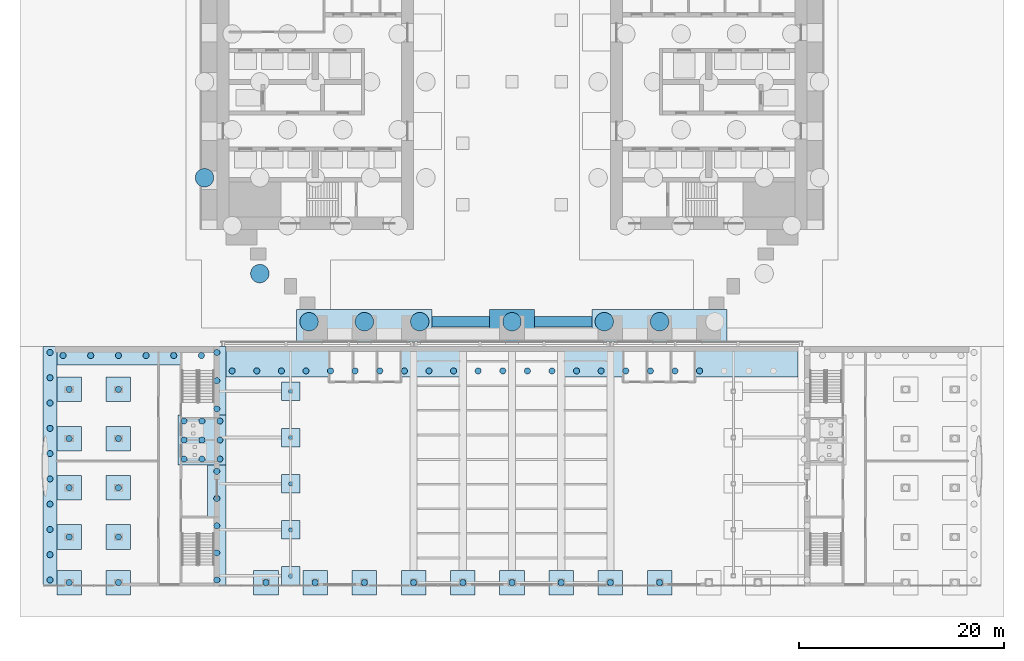
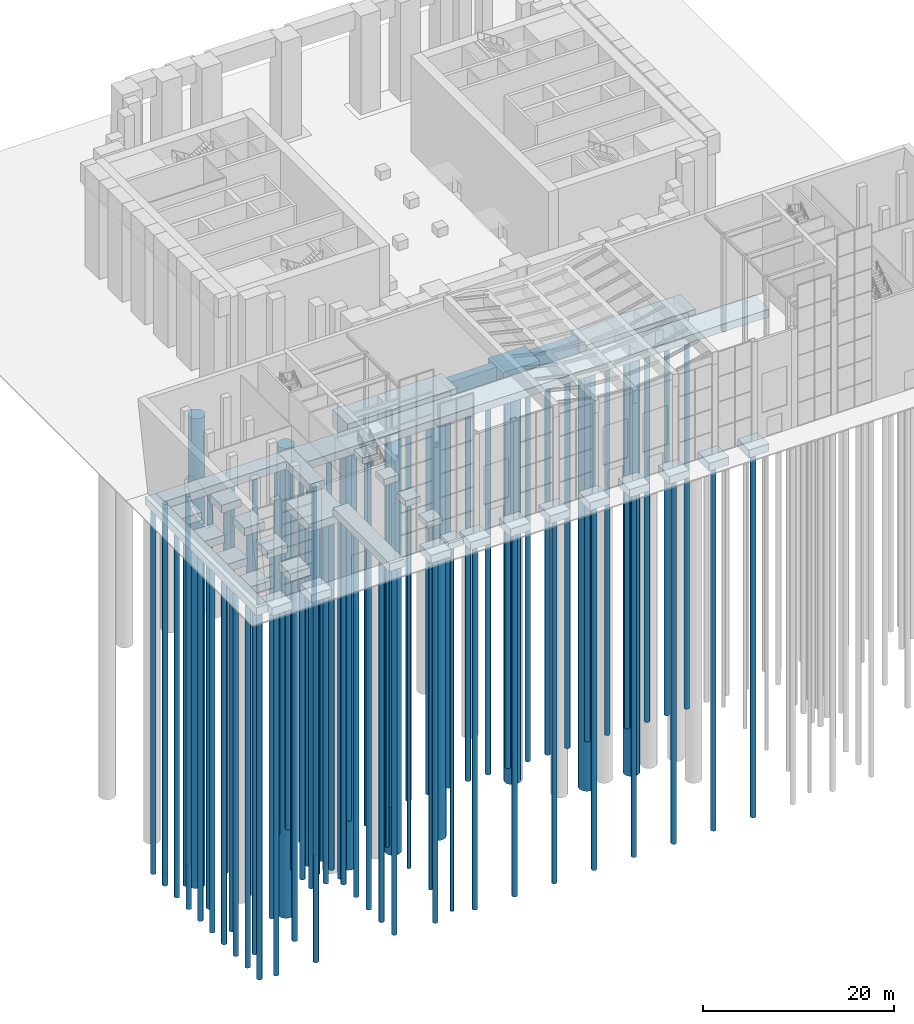
# One storey, part 1 of 58: 85 piles, 35 footings.
"""IFC4 building model written with IfcOpenShell, lengths in metres."""

from ifc_helpers import new_model, si_unit, direction, frame, origin, origin_2d, place, context, subcontext, project, spatial, polyline, circle, outline, extrude, material, material_profile, profile_set, type_object, element, save


model = new_model("IFC4")

# Units and contexts
model_context = context("Model", 3, precision=1e-05, world=origin(), true_north=direction((0.0, 1.0)))
body_context = subcontext(model_context, "Body", "Model", "MODEL_VIEW")
ifc_project = project(units=[si_unit("LENGTHUNIT", "METRE"), si_unit("AREAUNIT", "SQUARE_METRE"), si_unit("VOLUMEUNIT", "CUBIC_METRE"), si_unit("PLANEANGLEUNIT", "RADIAN"), si_unit("MASSUNIT", "GRAM", prefix="KILO")], contexts=[model_context])

# Site, building, storey
site_placement = place(None, origin())
site = spatial("IfcSite", under=ifc_project, at=site_placement, CompositionType="ELEMENT")
building_placement = place(site_placement, origin())
building = spatial("IfcBuilding", under=site, at=building_placement, Name="Baori Bourse Tower", CompositionType="ELEMENT")
storey_placement = place(building_placement, origin())
storey = spatial("IfcBuildingStorey", under=building, at=storey_placement, Name="L00", CompositionType="ELEMENT", Elevation=0.0)

# Piles
ifc_material_1 = material(Name="Concrete f'c 40 MPa", Category="concrete")
ifc_material_profile_1 = material_profile(ifc_material_1, circle(Radius=0.89990234375, at=origin_2d()), Name="RC D1800")
ifc_profile_set_1 = profile_set([ifc_material_profile_1], Name="Concrete f'c 40 MPa")
pile_type_1 = type_object("IfcPileType", Name="Bored pile RC D1800", PredefinedType="BORED", material=ifc_profile_set_1)
for number, where, z_axis, x_axis, name in (
    (1, (4.199951171875, 5.2939453125, -5.199951171875), (0.0, 0.0, -1.0), (1.0, 0.0, 0.0), "Bored pile RF2-01"),
    (2, (-1.199951171875, 14.64697265625, -5.199951171875), (0.0, 0.0, -1.0), (1.0, 0.0, 0.0), "Bored pile RF2-06"),
):
    element("IfcPile", number, at=place(storey_placement, frame(where, z_axis=z_axis, x_axis=x_axis)), inside=storey, type_object=pile_type_1, Name=name, PredefinedType="BORED", context=body_context, shape_type="SweptSolid", body=[
        extrude(circle(Radius=0.89990234375, at=origin_2d()), origin(), (0.0, 0.0, 1.0), 60.0),
    ])
for number, where, z_axis, x_axis, name in (
    (3, (9.0, 0.60009765625, -1.89990234375), (0.0, 0.0, -1.0), (1.0, 0.0, 0.0), "Bored pile PC1-01"),
    (4, (14.39990234375, 0.60009765625, -1.89990234375), (0.0, 0.0, -1.0), (1.0, 0.0, 0.0), "Bored pile PC1-02"),
    (5, (19.800048828125, 0.60009765625, -1.89990234375), (0.0, 0.0, -1.0), (1.0, 0.0, 0.0), "Bored pile PC1-03"),
):
    element("IfcPile", number, at=place(storey_placement, frame(where, z_axis=z_axis, x_axis=x_axis)), inside=storey, type_object=pile_type_1, Name=name, PredefinedType="BORED", context=body_context, shape_type="SweptSolid", body=[
        extrude(circle(Radius=0.89990234375, at=origin_2d()), origin(), (0.0, 0.0, 1.0), 56.0),
    ])
pile_placement = place(storey_placement, frame((28.800048828125, 0.60009765625, -1.89990234375), z_axis=(0.0, 0.0, -1.0), x_axis=(1.0, 0.0, 0.0)))
element("IfcPile", 6, at=pile_placement, inside=storey, type_object=pile_type_1, Name="Bored pile PC2-01", PredefinedType="BORED", context=body_context, shape_type="SweptSolid", body=[
    extrude(circle(Radius=0.89990234375, at=origin_2d()), origin(), (0.0, 0.0, 1.0), 52.0),
])
for number, where, z_axis, x_axis, name in (
    (7, (37.800048828125, 0.60009765625, -1.89990234375), (0.0, 0.0, -1.0), (1.0, 0.0, 0.0), "Bored pile PC3-01"),
    (8, (43.199951171875, 0.60009765625, -1.89990234375), (0.0, 0.0, -1.0), (1.0, 0.0, 0.0), "Bored pile PC3-02"),
):
    element("IfcPile", number, at=place(storey_placement, frame(where, z_axis=z_axis, x_axis=x_axis)), inside=storey, type_object=pile_type_1, Name=name, PredefinedType="BORED", context=body_context, shape_type="SweptSolid", body=[
        extrude(circle(Radius=0.89990234375, at=origin_2d()), origin(), (0.0, 0.0, 1.0), 56.0),
    ])
ifc_material_2 = material(Name="Concrete f'c 40 MPa", Category="concrete")
ifc_material_profile_2 = material_profile(ifc_material_2, circle(Radius=0.199951171875, at=origin_2d()), Name="Gallery bored pile 400")
ifc_profile_set_2 = profile_set([ifc_material_profile_2], Name="Concrete f'c 40 MPa")
pile_type_2 = type_object("IfcPileType", Name="Gallery bored pile 400", PredefinedType="BORED", material=ifc_profile_set_2)
for number, where, z_axis, x_axis, name in (
    (9, (7.199951171875, -24.199951171875, -1.0), (0.0, 0.0, -1.0), (1.0, 0.0, 0.0), "wing/L00/pile/032"),
    (10, (7.199951171875, -19.699951171875, -1.0), (0.0, 0.0, -1.0), (1.0, 0.0, 0.0), "wing/L00/pile/033"),
    (11, (7.199951171875, -15.199951171875, -1.0), (0.0, 0.0, -1.0), (1.0, 0.0, 0.0), "wing/L00/pile/034"),
    (12, (7.199951171875, -10.699951171875, -1.0), (0.0, 0.0, -1.0), (1.0, 0.0, 0.0), "wing/L00/pile/035"),
    (13, (7.199951171875, -6.199951171875, -1.0), (0.0, 0.0, -1.0), (1.0, 0.0, 0.0), "wing/L00/pile/036"),
):
    element("IfcPile", number, at=place(storey_placement, frame(where, z_axis=z_axis, x_axis=x_axis)), inside=storey, type_object=pile_type_2, Name=name, PredefinedType="BORED", context=body_context, shape_type="SweptSolid", body=[
        extrude(circle(Radius=0.199951171875, at=origin_2d()), origin(), (0.0, 0.0, 1.0), 47.0),
    ])

# Footings
ifc_material_3 = material(Name="Concrete f'c 40 MPa", Category="concrete")
footing_type_1 = type_object("IfcFootingType", Name="Gallery pile cap 1800", PredefinedType="PILE_CAP", material=ifc_material_3)
footing_1_placement = place(storey_placement, frame((0.0, 0.0, -1.10009765625)))
element("IfcFooting", 14, at=footing_1_placement, inside=storey, type_object=footing_type_1, Name="wing/L00/gcap/001", PredefinedType="PILE_CAP", context=body_context, shape_type="SweptSolid", body=[
    extrude(outline(polyline([(6.300048828125, -25.10009765625), (8.10009765625, -25.10009765625), (8.10009765625, -23.300048828125), (6.300048828125, -23.300048828125), (6.300048828125, -25.10009765625)])), origin(), (0.0, 0.0, 1.0), 0.800048828125),
])
footing_2_placement = place(storey_placement, frame((0.0, 0.0, -1.10009765625)))
element("IfcFooting", 15, at=footing_2_placement, inside=storey, type_object=footing_type_1, Name="wing/L00/gcap/002", PredefinedType="PILE_CAP", context=body_context, shape_type="SweptSolid", body=[
    extrude(outline(polyline([(6.300048828125, -20.60009765625), (8.10009765625, -20.60009765625), (8.10009765625, -18.800048828125), (6.300048828125, -18.800048828125), (6.300048828125, -20.60009765625)])), origin(), (0.0, 0.0, 1.0), 0.800048828125),
])
footing_3_placement = place(storey_placement, frame((0.0, 0.0, -1.10009765625)))
element("IfcFooting", 16, at=footing_3_placement, inside=storey, type_object=footing_type_1, Name="wing/L00/gcap/003", PredefinedType="PILE_CAP", context=body_context, shape_type="SweptSolid", body=[
    extrude(outline(polyline([(6.300048828125, -16.10009765625), (8.10009765625, -16.10009765625), (8.10009765625, -14.300048828125), (6.300048828125, -14.300048828125), (6.300048828125, -16.10009765625)])), origin(), (0.0, 0.0, 1.0), 0.800048828125),
])
footing_4_placement = place(storey_placement, frame((0.0, 0.0, -1.10009765625)))
element("IfcFooting", 17, at=footing_4_placement, inside=storey, type_object=footing_type_1, Name="wing/L00/gcap/004", PredefinedType="PILE_CAP", context=body_context, shape_type="SweptSolid", body=[
    extrude(outline(polyline([(6.300048828125, -11.60009765625), (8.10009765625, -11.60009765625), (8.10009765625, -9.800048828125), (6.300048828125, -9.800048828125), (6.300048828125, -11.60009765625)])), origin(), (0.0, 0.0, 1.0), 0.800048828125),
])
footing_5_placement = place(storey_placement, frame((0.0, 0.0, -1.10009765625)))
element("IfcFooting", 18, at=footing_5_placement, inside=storey, type_object=footing_type_1, Name="wing/L00/gcap/005", PredefinedType="PILE_CAP", context=body_context, shape_type="SweptSolid", body=[
    extrude(outline(polyline([(6.300048828125, -7.10009765625), (8.10009765625, -7.10009765625), (8.10009765625, -5.300048828125), (6.300048828125, -5.300048828125), (6.300048828125, -7.10009765625)])), origin(), (0.0, 0.0, 1.0), 0.800048828125),
])
ifc_material_4 = material(Name="Concrete f'c 40 MPa", Category="concrete")
footing_type_2 = type_object("IfcFootingType", Name="Pile cap 4.4 x 3.15 x 2.2", PredefinedType="PILE_CAP", material=ifc_material_4)
footing_6_placement = place(storey_placement, frame((0.0, 0.0, -2.199951171875)))
element("IfcFooting", 19, at=footing_6_placement, inside=storey, type_object=footing_type_2, Name="Pile cap south centre", PredefinedType="PILE_CAP", context=body_context, shape_type="SweptSolid", body=[
    extrude(outline(polyline([(31.0, -1.35009765625), (31.0, 1.800048828125), (26.60009765625, 1.800048828125), (26.60009765625, -1.35009765625), (31.0, -1.35009765625)])), origin(), (0.0, 0.0, 1.0), 2.199951171875),
])
ifc_material_5 = material(Name="Concrete f'c 40 MPa", Category="concrete")
footing_type_3 = type_object("IfcFootingType", Name="Pile cap strip 13.2 x 3.15 x 2.2", PredefinedType="PILE_CAP", material=ifc_material_5)
footing_7_placement = place(storey_placement, frame((0.0, 0.0, -2.199951171875)))
element("IfcFooting", 20, at=footing_7_placement, inside=storey, type_object=footing_type_3, Name="Pile cap strip south west", PredefinedType="PILE_CAP", context=body_context, shape_type="SweptSolid", body=[
    extrude(outline(polyline([(21.0, -1.35009765625), (21.0, 1.800048828125), (7.800048828125, 1.800048828125), (7.800048828125, -1.35009765625), (21.0, -1.35009765625)])), origin(), (0.0, 0.0, 1.0), 2.199951171875),
])
footing_8_placement = place(storey_placement, frame((0.0, 0.0, -2.199951171875)))
element("IfcFooting", 21, at=footing_8_placement, inside=storey, type_object=footing_type_3, Name="Pile cap strip south east", PredefinedType="PILE_CAP", context=body_context, shape_type="SweptSolid", body=[
    extrude(outline(polyline([(49.800048828125, -1.35009765625), (49.800048828125, 1.800048828125), (36.60009765625, 1.800048828125), (36.60009765625, -1.35009765625), (49.800048828125, -1.35009765625)])), origin(), (0.0, 0.0, 1.0), 2.199951171875),
])
ifc_material_6 = material(Name="Concrete f'c 40 MPa", Category="concrete")
footing_type_4 = type_object("IfcFootingType", Name="Tie beam 1 x 1.85", PredefinedType="FOOTING_BEAM", material=ifc_material_6)
footing_9_placement = place(storey_placement, frame((0.0, 0.0, -2.0)))
element("IfcFooting", 22, at=footing_9_placement, inside=storey, type_object=footing_type_4, Name="Tie beam FB1", PredefinedType="FOOTING_BEAM", context=body_context, shape_type="SweptSolid", body=[
    extrude(outline(polyline([(26.60009765625, 0.10009765625), (26.60009765625, 1.10009765625), (21.0, 1.10009765625), (21.0, 0.10009765625), (26.60009765625, 0.10009765625)])), origin(), (0.0, 0.0, 1.0), 1.85009765625),
])
footing_10_placement = place(storey_placement, frame((0.0, 0.0, -2.0)))
element("IfcFooting", 23, at=footing_10_placement, inside=storey, type_object=footing_type_4, Name="Tie beam FB2", PredefinedType="FOOTING_BEAM", context=body_context, shape_type="SweptSolid", body=[
    extrude(outline(polyline([(36.60009765625, 0.10009765625), (36.60009765625, 1.10009765625), (31.0, 1.10009765625), (31.0, 0.10009765625), (36.60009765625, 0.10009765625)])), origin(), (0.0, 0.0, 1.0), 1.85009765625),
])

# Piles
ifc_material_7 = material(Name="Concrete f'c 40 MPa", Category="concrete")
ifc_material_profile_3 = material_profile(ifc_material_7, circle(Radius=0.300048828125, at=origin_2d()), Name="Wing bored pile 600")
ifc_profile_set_3 = profile_set([ifc_material_profile_3], Name="Concrete f'c 40 MPa")
pile_type_3 = type_object("IfcPileType", Name="Wing bored pile 600", PredefinedType="BORED", material=ifc_profile_set_3)
for number, where, z_axis, x_axis, name in (
    (24, (-14.39990234375, -24.85009765625, -1.199951171875), (0.0, 0.0, -1.0), (1.0, 0.0, 0.0), "wing/L00/pile/001"),
    (25, (-14.39990234375, -20.39990234375, -1.199951171875), (0.0, 0.0, -1.0), (1.0, 0.0, 0.0), "wing/L00/pile/002"),
    (26, (-14.39990234375, -15.60009765625, -1.199951171875), (0.0, 0.0, -1.0), (1.0, 0.0, 0.0), "wing/L00/pile/003"),
    (27, (-14.39990234375, -10.800048828125, -1.199951171875), (0.0, 0.0, -1.0), (1.0, 0.0, 0.0), "wing/L00/pile/004"),
    (28, (-14.39990234375, -6.0, -1.199951171875), (0.0, 0.0, -1.0), (1.0, 0.0, 0.0), "wing/L00/pile/005"),
    (29, (-9.60009765625, -24.85009765625, -1.199951171875), (0.0, 0.0, -1.0), (1.0, 0.0, 0.0), "wing/L00/pile/006"),
    (30, (-9.60009765625, -20.39990234375, -1.199951171875), (0.0, 0.0, -1.0), (1.0, 0.0, 0.0), "wing/L00/pile/007"),
    (31, (-9.60009765625, -15.60009765625, -1.199951171875), (0.0, 0.0, -1.0), (1.0, 0.0, 0.0), "wing/L00/pile/008"),
    (32, (-9.60009765625, -10.800048828125, -1.199951171875), (0.0, 0.0, -1.0), (1.0, 0.0, 0.0), "wing/L00/pile/009"),
    (33, (-9.60009765625, -6.0, -1.199951171875), (0.0, 0.0, -1.0), (1.0, 0.0, 0.0), "wing/L00/pile/010"),
    (34, (4.800048828125, -24.85009765625, -1.199951171875), (0.0, 0.0, -1.0), (1.0, 0.0, 0.0), "wing/L00/pile/021"),
    (35, (9.60009765625, -24.85009765625, -1.199951171875), (0.0, 0.0, -1.0), (1.0, 0.0, 0.0), "wing/L00/pile/022"),
    (36, (14.39990234375, -24.85009765625, -1.199951171875), (0.0, 0.0, -1.0), (1.0, 0.0, 0.0), "wing/L00/pile/023"),
    (37, (19.199951171875, -24.85009765625, -1.199951171875), (0.0, 0.0, -1.0), (1.0, 0.0, 0.0), "wing/L00/pile/024"),
    (38, (24.0, -24.85009765625, -1.199951171875), (0.0, 0.0, -1.0), (1.0, 0.0, 0.0), "wing/L00/pile/025"),
    (39, (28.800048828125, -24.85009765625, -1.199951171875), (0.0, 0.0, -1.0), (1.0, 0.0, 0.0), "wing/L00/pile/026"),
    (40, (33.60009765625, -24.85009765625, -1.199951171875), (0.0, 0.0, -1.0), (1.0, 0.0, 0.0), "wing/L00/pile/027"),
    (41, (38.39990234375, -24.85009765625, -1.199951171875), (0.0, 0.0, -1.0), (1.0, 0.0, 0.0), "wing/L00/pile/028"),
    (42, (43.199951171875, -24.85009765625, -1.199951171875), (0.0, 0.0, -1.0), (1.0, 0.0, 0.0), "wing/L00/pile/029"),
    (43, (-16.27490234375, -24.60009765625, -1.199951171875), (0.0, 0.0, -1.0), (1.0, 0.0, 0.0), "wing/L00/pile/042"),
    (44, (-16.27490234375, -22.13330078125, -1.199951171875), (0.0, 0.0, -1.0), (1.0, 0.0, 0.0), "wing/L00/pile/043"),
    (45, (-16.27490234375, -19.666748046875, -1.199951171875), (0.0, 0.0, -1.0), (1.0, 0.0, 0.0), "wing/L00/pile/044"),
    (46, (-16.27490234375, -17.199951171875, -1.199951171875), (0.0, 0.0, -1.0), (1.0, 0.0, 0.0), "wing/L00/pile/045"),
    (47, (-16.27490234375, -14.7333984375, -1.199951171875), (0.0, 0.0, -1.0), (1.0, 0.0, 0.0), "wing/L00/pile/046"),
    (48, (-16.27490234375, -12.2666015625, -1.199951171875), (0.0, 0.0, -1.0), (1.0, 0.0, 0.0), "wing/L00/pile/047"),
    (49, (-16.27490234375, -9.800048828125, -1.199951171875), (0.0, 0.0, -1.0), (1.0, 0.0, 0.0), "wing/L00/pile/048"),
    (50, (-16.27490234375, -7.333251953125, -1.199951171875), (0.0, 0.0, -1.0), (1.0, 0.0, 0.0), "wing/L00/pile/049"),
    (51, (-16.27490234375, -4.86669921875, -1.199951171875), (0.0, 0.0, -1.0), (1.0, 0.0, 0.0), "wing/L00/pile/050"),
    (52, (-16.27490234375, -2.39990234375, -1.199951171875), (0.0, 0.0, -1.0), (1.0, 0.0, 0.0), "wing/L00/pile/051"),
    (53, (-15.0, -2.699951171875, -1.199951171875), (0.0, 0.0, -1.0), (1.0, 0.0, 0.0), "wing/L00/pile/062"),
    (54, (-12.300048828125, -2.699951171875, -1.199951171875), (0.0, 0.0, -1.0), (1.0, 0.0, 0.0), "wing/L00/pile/063"),
    (55, (-9.60009765625, -2.699951171875, -1.199951171875), (0.0, 0.0, -1.0), (1.0, 0.0, 0.0), "wing/L00/pile/064"),
    (56, (-6.89990234375, -2.699951171875, -1.199951171875), (0.0, 0.0, -1.0), (1.0, 0.0, 0.0), "wing/L00/pile/065"),
    (57, (-4.199951171875, -2.699951171875, -1.199951171875), (0.0, 0.0, -1.0), (1.0, 0.0, 0.0), "wing/L00/pile/066"),
    (58, (-1.5, -2.699951171875, -1.199951171875), (0.0, 0.0, -1.0), (1.0, 0.0, 0.0), "wing/L00/pile/067"),
    (59, (0.0, -24.60009765625, -1.199951171875), (0.0, 0.0, -1.0), (1.0, 0.0, 0.0), "wing/L00/pile/074"),
    (60, (0.0, -21.949951171875, -1.199951171875), (0.0, 0.0, -1.0), (1.0, 0.0, 0.0), "wing/L00/pile/075"),
    (61, (0.0, -19.300048828125, -1.199951171875), (0.0, 0.0, -1.0), (1.0, 0.0, 0.0), "wing/L00/pile/076"),
    (62, (0.0, -16.64990234375, -1.199951171875), (0.0, 0.0, -1.0), (1.0, 0.0, 0.0), "wing/L00/pile/077"),
    (63, (0.0, -14.0, -1.199951171875), (0.0, 0.0, -1.0), (1.0, 0.0, 0.0), "wing/L00/pile/078"),
    (64, (0.0, -7.89990234375, -1.199951171875), (0.0, 0.0, -1.0), (1.0, 0.0, 0.0), "wing/L00/pile/084"),
    (65, (0.0, -5.14990234375, -1.199951171875), (0.0, 0.0, -1.0), (1.0, 0.0, 0.0), "wing/L00/pile/085"),
    (66, (0.0, -2.39990234375, -1.199951171875), (0.0, 0.0, -1.0), (1.0, 0.0, 0.0), "wing/L00/pile/086"),
    (67, (1.5, -4.199951171875, -1.199951171875), (0.0, 0.0, -1.0), (1.0, 0.0, 0.0), "wing/L00/pile/090"),
    (68, (3.89990234375, -4.199951171875, -1.199951171875), (0.0, 0.0, -1.0), (1.0, 0.0, 0.0), "wing/L00/pile/091"),
    (69, (6.300048828125, -4.199951171875, -1.199951171875), (0.0, 0.0, -1.0), (1.0, 0.0, 0.0), "wing/L00/pile/092"),
    (70, (8.699951171875, -4.199951171875, -1.199951171875), (0.0, 0.0, -1.0), (1.0, 0.0, 0.0), "wing/L00/pile/093"),
    (71, (11.10009765625, -4.199951171875, -1.199951171875), (0.0, 0.0, -1.0), (1.0, 0.0, 0.0), "wing/L00/pile/094"),
    (72, (13.5, -4.199951171875, -1.199951171875), (0.0, 0.0, -1.0), (1.0, 0.0, 0.0), "wing/L00/pile/095"),
    (73, (15.89990234375, -4.199951171875, -1.199951171875), (0.0, 0.0, -1.0), (1.0, 0.0, 0.0), "wing/L00/pile/096"),
    (74, (18.300048828125, -4.199951171875, -1.199951171875), (0.0, 0.0, -1.0), (1.0, 0.0, 0.0), "wing/L00/pile/097"),
    (75, (20.699951171875, -4.199951171875, -1.199951171875), (0.0, 0.0, -1.0), (1.0, 0.0, 0.0), "wing/L00/pile/098"),
    (76, (23.10009765625, -4.199951171875, -1.199951171875), (0.0, 0.0, -1.0), (1.0, 0.0, 0.0), "wing/L00/pile/099"),
    (77, (25.5, -4.199951171875, -1.199951171875), (0.0, 0.0, -1.0), (1.0, 0.0, 0.0), "wing/L00/pile/100"),
    (78, (27.89990234375, -4.199951171875, -1.199951171875), (0.0, 0.0, -1.0), (1.0, 0.0, 0.0), "wing/L00/pile/101"),
    (79, (30.300048828125, -4.199951171875, -1.199951171875), (0.0, 0.0, -1.0), (1.0, 0.0, 0.0), "wing/L00/pile/102"),
    (80, (32.699951171875, -4.199951171875, -1.199951171875), (0.0, 0.0, -1.0), (1.0, 0.0, 0.0), "wing/L00/pile/103"),
    (81, (35.10009765625, -4.199951171875, -1.199951171875), (0.0, 0.0, -1.0), (1.0, 0.0, 0.0), "wing/L00/pile/104"),
    (82, (37.5, -4.199951171875, -1.199951171875), (0.0, 0.0, -1.0), (1.0, 0.0, 0.0), "wing/L00/pile/105"),
    (83, (39.89990234375, -4.199951171875, -1.199951171875), (0.0, 0.0, -1.0), (1.0, 0.0, 0.0), "wing/L00/pile/106"),
    (84, (42.300048828125, -4.199951171875, -1.199951171875), (0.0, 0.0, -1.0), (1.0, 0.0, 0.0), "wing/L00/pile/107"),
    (85, (44.699951171875, -4.199951171875, -1.199951171875), (0.0, 0.0, -1.0), (1.0, 0.0, 0.0), "wing/L00/pile/108"),
    (86, (47.10009765625, -4.199951171875, -1.199951171875), (0.0, 0.0, -1.0), (1.0, 0.0, 0.0), "wing/L00/pile/109"),
):
    element("IfcPile", number, at=place(storey_placement, frame(where, z_axis=z_axis, x_axis=x_axis)), inside=storey, type_object=pile_type_3, Name=name, PredefinedType="BORED", context=body_context, shape_type="SweptSolid", body=[
        extrude(circle(Radius=0.300048828125, at=origin_2d()), origin(), (0.0, 0.0, 1.0), 47.0),
    ])
for number, where, z_axis, x_axis, name in (
    (87, (-3.199951171875, -12.800048828125, -2.300048828125), (0.0, 0.0, -1.0), (1.0, 0.0, 0.0), "wing/L00/pile/113"),
    (88, (-3.199951171875, -10.949951171875, -2.300048828125), (0.0, 0.0, -1.0), (1.0, 0.0, 0.0), "wing/L00/pile/114"),
    (89, (-3.199951171875, -9.10009765625, -2.300048828125), (0.0, 0.0, -1.0), (1.0, 0.0, 0.0), "wing/L00/pile/115"),
    (90, (-1.449951171875, -12.800048828125, -2.300048828125), (0.0, 0.0, -1.0), (1.0, 0.0, 0.0), "wing/L00/pile/116"),
    (91, (-1.449951171875, -10.949951171875, -2.300048828125), (0.0, 0.0, -1.0), (1.0, 0.0, 0.0), "wing/L00/pile/117"),
    (92, (-1.449951171875, -9.10009765625, -2.300048828125), (0.0, 0.0, -1.0), (1.0, 0.0, 0.0), "wing/L00/pile/118"),
    (93, (0.300048828125, -12.800048828125, -2.300048828125), (0.0, 0.0, -1.0), (1.0, 0.0, 0.0), "wing/L00/pile/119"),
    (94, (0.300048828125, -10.949951171875, -2.300048828125), (0.0, 0.0, -1.0), (1.0, 0.0, 0.0), "wing/L00/pile/120"),
    (95, (0.300048828125, -9.10009765625, -2.300048828125), (0.0, 0.0, -1.0), (1.0, 0.0, 0.0), "wing/L00/pile/121"),
):
    element("IfcPile", number, at=place(storey_placement, frame(where, z_axis=z_axis, x_axis=x_axis)), inside=storey, type_object=pile_type_3, Name=name, PredefinedType="BORED", context=body_context, shape_type="SweptSolid", body=[
        extrude(circle(Radius=0.300048828125, at=origin_2d()), origin(), (0.0, 0.0, 1.0), 46.0),
    ])

# Footings
ifc_material_8 = material(Name="Concrete f'c 40 MPa", Category="concrete")
footing_type_5 = type_object("IfcFootingType", Name="Wing hall wall footing 3000", PredefinedType="STRIP_FOOTING", material=ifc_material_8)
footing_11_placement = place(storey_placement, frame((0.0, 0.0, -1.300048828125)))
element("IfcFooting", 96, at=footing_11_placement, inside=storey, type_object=footing_type_5, Name="wing/L00/strip/009", PredefinedType="STRIP_FOOTING", context=body_context, shape_type="SweptSolid", body=[
    extrude(outline(polyline([(0.89990234375, -4.800048828125), (56.699951171875, -4.800048828125), (56.699951171875, -1.800048828125), (0.89990234375, -1.800048828125), (0.89990234375, -4.800048828125)])), origin(), (0.0, 0.0, 1.0), 1.0),
])
ifc_material_9 = material(Name="Concrete f'c 40 MPa", Category="concrete")
footing_type_6 = type_object("IfcFootingType", Name="Wing lift raft 1000", PredefinedType="PILE_CAP", material=ifc_material_9)
footing_12_placement = place(storey_placement, frame((0.0, 0.0, -2.39990234375)))
element("IfcFooting", 97, at=footing_12_placement, inside=storey, type_object=footing_type_6, Name="wing/L00/raft/001", PredefinedType="PILE_CAP", context=body_context, shape_type="SweptSolid", body=[
    extrude(outline(polyline([(-3.800048828125, -13.39990234375), (0.89990234375, -13.39990234375), (0.89990234375, -8.5), (-3.800048828125, -8.5), (-3.800048828125, -13.39990234375)])), origin(), (0.0, 0.0, 1.0), 1.0),
])
ifc_material_10 = material(Name="Concrete f'c 40 MPa", Category="concrete")
footing_type_7 = type_object("IfcFootingType", Name="Wing pile cap 2400", PredefinedType="PILE_CAP", material=ifc_material_10)
footing_13_placement = place(storey_placement, frame((0.0, 0.0, -1.300048828125)))
element("IfcFooting", 98, at=footing_13_placement, inside=storey, type_object=footing_type_7, Name="wing/L00/cap/001", PredefinedType="PILE_CAP", context=body_context, shape_type="SweptSolid", body=[
    extrude(outline(polyline([(-15.60009765625, -26.050048828125), (-13.199951171875, -26.050048828125), (-13.199951171875, -23.64990234375), (-15.60009765625, -23.64990234375), (-15.60009765625, -26.050048828125)])), origin(), (0.0, 0.0, 1.0), 1.0),
])
footing_14_placement = place(storey_placement, frame((0.0, 0.0, -1.300048828125)))
element("IfcFooting", 99, at=footing_14_placement, inside=storey, type_object=footing_type_7, Name="wing/L00/cap/002", PredefinedType="PILE_CAP", context=body_context, shape_type="SweptSolid", body=[
    extrude(outline(polyline([(-15.60009765625, -21.60009765625), (-13.199951171875, -21.60009765625), (-13.199951171875, -19.199951171875), (-15.60009765625, -19.199951171875), (-15.60009765625, -21.60009765625)])), origin(), (0.0, 0.0, 1.0), 1.0),
])
footing_15_placement = place(storey_placement, frame((0.0, 0.0, -1.300048828125)))
element("IfcFooting", 100, at=footing_15_placement, inside=storey, type_object=footing_type_7, Name="wing/L00/cap/003", PredefinedType="PILE_CAP", context=body_context, shape_type="SweptSolid", body=[
    extrude(outline(polyline([(-15.60009765625, -16.800048828125), (-13.199951171875, -16.800048828125), (-13.199951171875, -14.39990234375), (-15.60009765625, -14.39990234375), (-15.60009765625, -16.800048828125)])), origin(), (0.0, 0.0, 1.0), 1.0),
])
footing_16_placement = place(storey_placement, frame((0.0, 0.0, -1.300048828125)))
element("IfcFooting", 101, at=footing_16_placement, inside=storey, type_object=footing_type_7, Name="wing/L00/cap/004", PredefinedType="PILE_CAP", context=body_context, shape_type="SweptSolid", body=[
    extrude(outline(polyline([(-15.60009765625, -12.0), (-13.199951171875, -12.0), (-13.199951171875, -9.60009765625), (-15.60009765625, -9.60009765625), (-15.60009765625, -12.0)])), origin(), (0.0, 0.0, 1.0), 1.0),
])
footing_17_placement = place(storey_placement, frame((0.0, 0.0, -1.300048828125)))
element("IfcFooting", 102, at=footing_17_placement, inside=storey, type_object=footing_type_7, Name="wing/L00/cap/005", PredefinedType="PILE_CAP", context=body_context, shape_type="SweptSolid", body=[
    extrude(outline(polyline([(-15.60009765625, -7.199951171875), (-13.199951171875, -7.199951171875), (-13.199951171875, -4.800048828125), (-15.60009765625, -4.800048828125), (-15.60009765625, -7.199951171875)])), origin(), (0.0, 0.0, 1.0), 1.0),
])
footing_18_placement = place(storey_placement, frame((0.0, 0.0, -1.300048828125)))
element("IfcFooting", 103, at=footing_18_placement, inside=storey, type_object=footing_type_7, Name="wing/L00/cap/006", PredefinedType="PILE_CAP", context=body_context, shape_type="SweptSolid", body=[
    extrude(outline(polyline([(-10.800048828125, -26.050048828125), (-8.39990234375, -26.050048828125), (-8.39990234375, -23.64990234375), (-10.800048828125, -23.64990234375), (-10.800048828125, -26.050048828125)])), origin(), (0.0, 0.0, 1.0), 1.0),
])
footing_19_placement = place(storey_placement, frame((0.0, 0.0, -1.300048828125)))
element("IfcFooting", 104, at=footing_19_placement, inside=storey, type_object=footing_type_7, Name="wing/L00/cap/007", PredefinedType="PILE_CAP", context=body_context, shape_type="SweptSolid", body=[
    extrude(outline(polyline([(-10.800048828125, -21.60009765625), (-8.39990234375, -21.60009765625), (-8.39990234375, -19.199951171875), (-10.800048828125, -19.199951171875), (-10.800048828125, -21.60009765625)])), origin(), (0.0, 0.0, 1.0), 1.0),
])
footing_20_placement = place(storey_placement, frame((0.0, 0.0, -1.300048828125)))
element("IfcFooting", 105, at=footing_20_placement, inside=storey, type_object=footing_type_7, Name="wing/L00/cap/008", PredefinedType="PILE_CAP", context=body_context, shape_type="SweptSolid", body=[
    extrude(outline(polyline([(-10.800048828125, -16.800048828125), (-8.39990234375, -16.800048828125), (-8.39990234375, -14.39990234375), (-10.800048828125, -14.39990234375), (-10.800048828125, -16.800048828125)])), origin(), (0.0, 0.0, 1.0), 1.0),
])
footing_21_placement = place(storey_placement, frame((0.0, 0.0, -1.300048828125)))
element("IfcFooting", 106, at=footing_21_placement, inside=storey, type_object=footing_type_7, Name="wing/L00/cap/009", PredefinedType="PILE_CAP", context=body_context, shape_type="SweptSolid", body=[
    extrude(outline(polyline([(-10.800048828125, -12.0), (-8.39990234375, -12.0), (-8.39990234375, -9.60009765625), (-10.800048828125, -9.60009765625), (-10.800048828125, -12.0)])), origin(), (0.0, 0.0, 1.0), 1.0),
])
footing_22_placement = place(storey_placement, frame((0.0, 0.0, -1.300048828125)))
element("IfcFooting", 107, at=footing_22_placement, inside=storey, type_object=footing_type_7, Name="wing/L00/cap/010", PredefinedType="PILE_CAP", context=body_context, shape_type="SweptSolid", body=[
    extrude(outline(polyline([(-10.800048828125, -7.199951171875), (-8.39990234375, -7.199951171875), (-8.39990234375, -4.800048828125), (-10.800048828125, -4.800048828125), (-10.800048828125, -7.199951171875)])), origin(), (0.0, 0.0, 1.0), 1.0),
])
footing_23_placement = place(storey_placement, frame((0.0, 0.0, -1.300048828125)))
element("IfcFooting", 108, at=footing_23_placement, inside=storey, type_object=footing_type_7, Name="wing/L00/cap/021", PredefinedType="PILE_CAP", context=body_context, shape_type="SweptSolid", body=[
    extrude(outline(polyline([(3.60009765625, -26.050048828125), (6.0, -26.050048828125), (6.0, -23.64990234375), (3.60009765625, -23.64990234375), (3.60009765625, -26.050048828125)])), origin(), (0.0, 0.0, 1.0), 1.0),
])
footing_24_placement = place(storey_placement, frame((0.0, 0.0, -1.300048828125)))
element("IfcFooting", 109, at=footing_24_placement, inside=storey, type_object=footing_type_7, Name="wing/L00/cap/022", PredefinedType="PILE_CAP", context=body_context, shape_type="SweptSolid", body=[
    extrude(outline(polyline([(8.39990234375, -26.050048828125), (10.800048828125, -26.050048828125), (10.800048828125, -23.64990234375), (8.39990234375, -23.64990234375), (8.39990234375, -26.050048828125)])), origin(), (0.0, 0.0, 1.0), 1.0),
])
footing_25_placement = place(storey_placement, frame((0.0, 0.0, -1.300048828125)))
element("IfcFooting", 110, at=footing_25_placement, inside=storey, type_object=footing_type_7, Name="wing/L00/cap/023", PredefinedType="PILE_CAP", context=body_context, shape_type="SweptSolid", body=[
    extrude(outline(polyline([(13.199951171875, -26.050048828125), (15.60009765625, -26.050048828125), (15.60009765625, -23.64990234375), (13.199951171875, -23.64990234375), (13.199951171875, -26.050048828125)])), origin(), (0.0, 0.0, 1.0), 1.0),
])
footing_26_placement = place(storey_placement, frame((0.0, 0.0, -1.300048828125)))
element("IfcFooting", 111, at=footing_26_placement, inside=storey, type_object=footing_type_7, Name="wing/L00/cap/024", PredefinedType="PILE_CAP", context=body_context, shape_type="SweptSolid", body=[
    extrude(outline(polyline([(18.0, -26.050048828125), (20.39990234375, -26.050048828125), (20.39990234375, -23.64990234375), (18.0, -23.64990234375), (18.0, -26.050048828125)])), origin(), (0.0, 0.0, 1.0), 1.0),
])
footing_27_placement = place(storey_placement, frame((0.0, 0.0, -1.300048828125)))
element("IfcFooting", 112, at=footing_27_placement, inside=storey, type_object=footing_type_7, Name="wing/L00/cap/025", PredefinedType="PILE_CAP", context=body_context, shape_type="SweptSolid", body=[
    extrude(outline(polyline([(22.800048828125, -26.050048828125), (25.199951171875, -26.050048828125), (25.199951171875, -23.64990234375), (22.800048828125, -23.64990234375), (22.800048828125, -26.050048828125)])), origin(), (0.0, 0.0, 1.0), 1.0),
])
footing_28_placement = place(storey_placement, frame((0.0, 0.0, -1.300048828125)))
element("IfcFooting", 113, at=footing_28_placement, inside=storey, type_object=footing_type_7, Name="wing/L00/cap/026", PredefinedType="PILE_CAP", context=body_context, shape_type="SweptSolid", body=[
    extrude(outline(polyline([(27.60009765625, -26.050048828125), (30.0, -26.050048828125), (30.0, -23.64990234375), (27.60009765625, -23.64990234375), (27.60009765625, -26.050048828125)])), origin(), (0.0, 0.0, 1.0), 1.0),
])
footing_29_placement = place(storey_placement, frame((0.0, 0.0, -1.300048828125)))
element("IfcFooting", 114, at=footing_29_placement, inside=storey, type_object=footing_type_7, Name="wing/L00/cap/027", PredefinedType="PILE_CAP", context=body_context, shape_type="SweptSolid", body=[
    extrude(outline(polyline([(32.39990234375, -26.050048828125), (34.800048828125, -26.050048828125), (34.800048828125, -23.64990234375), (32.39990234375, -23.64990234375), (32.39990234375, -26.050048828125)])), origin(), (0.0, 0.0, 1.0), 1.0),
])
footing_30_placement = place(storey_placement, frame((0.0, 0.0, -1.300048828125)))
element("IfcFooting", 115, at=footing_30_placement, inside=storey, type_object=footing_type_7, Name="wing/L00/cap/028", PredefinedType="PILE_CAP", context=body_context, shape_type="SweptSolid", body=[
    extrude(outline(polyline([(37.199951171875, -26.050048828125), (39.60009765625, -26.050048828125), (39.60009765625, -23.64990234375), (37.199951171875, -23.64990234375), (37.199951171875, -26.050048828125)])), origin(), (0.0, 0.0, 1.0), 1.0),
])
footing_31_placement = place(storey_placement, frame((0.0, 0.0, -1.300048828125)))
element("IfcFooting", 116, at=footing_31_placement, inside=storey, type_object=footing_type_7, Name="wing/L00/cap/029", PredefinedType="PILE_CAP", context=body_context, shape_type="SweptSolid", body=[
    extrude(outline(polyline([(42.0, -26.050048828125), (44.39990234375, -26.050048828125), (44.39990234375, -23.64990234375), (42.0, -23.64990234375), (42.0, -26.050048828125)])), origin(), (0.0, 0.0, 1.0), 1.0),
])
ifc_material_11 = material(Name="Concrete f'c 40 MPa", Category="concrete")
footing_type_8 = type_object("IfcFootingType", Name="Wing strip footing 1350", PredefinedType="STRIP_FOOTING", material=ifc_material_11)
footing_32_placement = place(storey_placement, frame((0.0, 0.0, -1.300048828125)))
element("IfcFooting", 117, at=footing_32_placement, inside=storey, type_object=footing_type_8, Name="wing/L00/strip/001", PredefinedType="STRIP_FOOTING", context=body_context, shape_type="SweptSolid", body=[
    extrude(outline(polyline([(-16.949951171875, -25.199951171875), (-15.60009765625, -25.199951171875), (-15.60009765625, -1.800048828125), (-16.949951171875, -1.800048828125), (-16.949951171875, -25.199951171875)])), origin(), (0.0, 0.0, 1.0), 1.0),
])
ifc_material_12 = material(Name="Concrete f'c 40 MPa", Category="concrete")
footing_type_9 = type_object("IfcFootingType", Name="Wing wall footing 1800", PredefinedType="STRIP_FOOTING", material=ifc_material_12)
footing_33_placement = place(storey_placement, frame((0.0, 0.0, -1.300048828125)))
element("IfcFooting", 118, at=footing_33_placement, inside=storey, type_object=footing_type_9, Name="wing/L00/strip/003", PredefinedType="STRIP_FOOTING", context=body_context, shape_type="SweptSolid", body=[
    extrude(outline(polyline([(-15.60009765625, -3.60009765625), (-0.89990234375, -3.60009765625), (-0.89990234375, -1.800048828125), (-15.60009765625, -1.800048828125), (-15.60009765625, -3.60009765625)])), origin(), (0.0, 0.0, 1.0), 1.0),
])
footing_34_placement = place(storey_placement, frame((0.0, 0.0, -1.300048828125)))
element("IfcFooting", 119, at=footing_34_placement, inside=storey, type_object=footing_type_9, Name="wing/L00/strip/005", PredefinedType="STRIP_FOOTING", context=body_context, shape_type="SweptSolid", body=[
    extrude(outline(polyline([(-0.89990234375, -25.199951171875), (0.89990234375, -25.199951171875), (0.89990234375, -13.39990234375), (-0.89990234375, -13.39990234375), (-0.89990234375, -25.199951171875)])), origin(), (0.0, 0.0, 1.0), 1.0),
])
footing_35_placement = place(storey_placement, frame((0.0, 0.0, -1.300048828125)))
element("IfcFooting", 120, at=footing_35_placement, inside=storey, type_object=footing_type_9, Name="wing/L00/strip/007", PredefinedType="STRIP_FOOTING", context=body_context, shape_type="SweptSolid", body=[
    extrude(outline(polyline([(-0.89990234375, -8.5), (0.89990234375, -8.5), (0.89990234375, -1.800048828125), (-0.89990234375, -1.800048828125), (-0.89990234375, -8.5)])), origin(), (0.0, 0.0, 1.0), 1.0),
])

save(model, "model.ifc")
